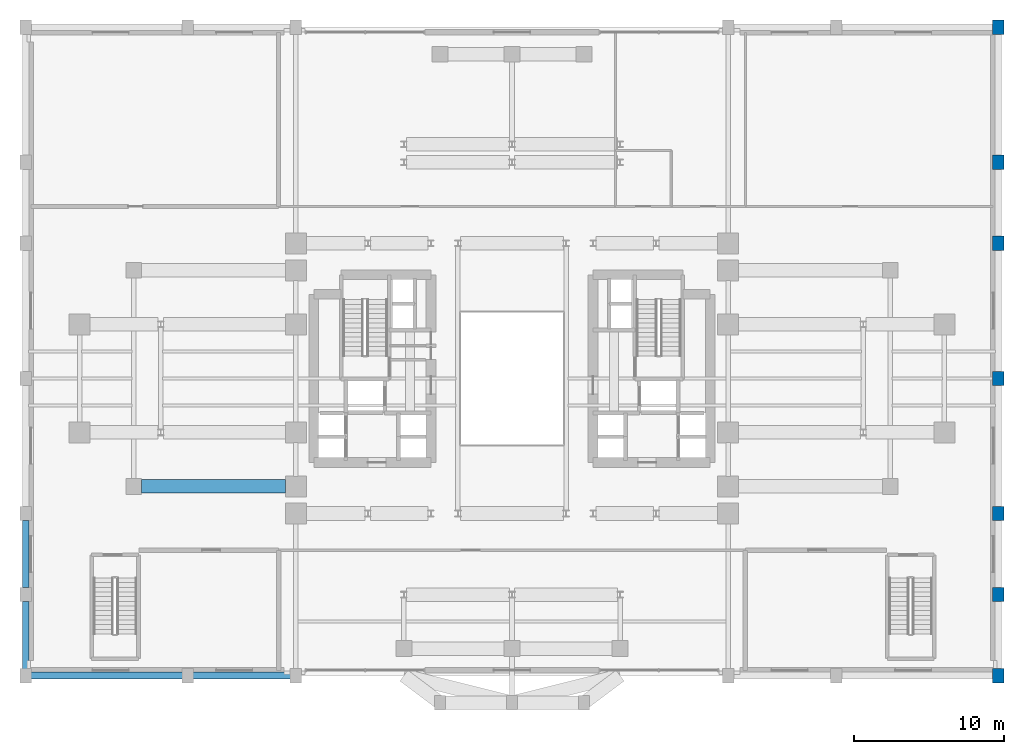
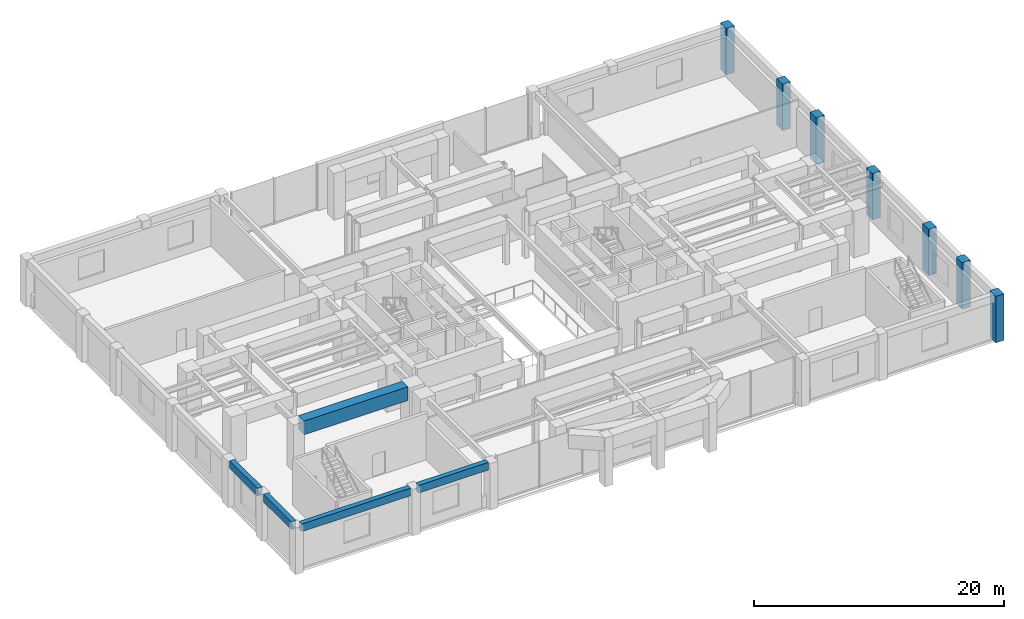
# One storey, part 3 of 14: 7 columns, 5 beams.
"""IFC4 building model written with IfcOpenShell, lengths in metres."""

from ifc_helpers import new_model, si_unit, direction, frame, origin, origin_2d, place, context, subcontext, project, spatial, rectangle, extrude, source, transform, mapped, material, material_profile, profile_set, type_object, element, save


model = new_model("IFC4")

# Units and contexts
model_context = context("Model", 3, precision=1e-05, world=origin(), true_north=direction((0.0, 1.0)))
body_context = subcontext(model_context, "Body", "Model", "MODEL_VIEW")
ifc_project = project(units=[si_unit("LENGTHUNIT", "METRE"), si_unit("AREAUNIT", "SQUARE_METRE"), si_unit("VOLUMEUNIT", "CUBIC_METRE"), si_unit("PLANEANGLEUNIT", "RADIAN"), si_unit("MASSUNIT", "GRAM", prefix="KILO")], contexts=[model_context])

# Site, building, storey
site_placement = place(None, origin())
site = spatial("IfcSite", under=ifc_project, at=site_placement, CompositionType="ELEMENT")
building_placement = place(site_placement, origin())
building = spatial("IfcBuilding", under=site, at=building_placement, Name="Keilestroom Media Tower", CompositionType="ELEMENT")
storey_placement = place(building_placement, frame((0.0, 0.0, 15.60009765625)))
storey = spatial("IfcBuildingStorey", under=building, at=storey_placement, Name="L03", CompositionType="ELEMENT", Elevation=15.60009765625)

# Columns
ifc_material_1 = material(Name="Precast concrete C40/50", Category="concrete")
ifc_material_profile_1 = material_profile(ifc_material_1, rectangle(XDim=0.75, YDim=0.949951171875, at=origin_2d()), Name="PC 950x750")
ifc_profile_set_1 = profile_set([ifc_material_profile_1], Name="Precast concrete C40/50")
column_type = type_object("IfcColumnType", Name="Structural-Column-PC-950x750", PredefinedType="COLUMN", material=ifc_profile_set_1)
shared_shape_1 = source(origin(), body_context, "Body", "SweptSolid", [
    extrude(rectangle(XDim=0.75, YDim=0.949951171875, at=origin_2d()), origin(), (0.0, 0.0, 1.0), 4.5498046875),
])
for number, where, z_axis, x_axis, name in (
    (1, (32.39990234375, -19.800048828125, 0.0), (0.0, 0.0, 1.0), (1.0, 0.0, 0.0), "L03 Column PC-1 (+32.4,-19.8)"),
    (2, (32.39990234375, -14.39990234375, 0.0), (0.0, 0.0, 1.0), (1.0, 0.0, 0.0), "L03 Column PC-1 (+32.4,-14.4)"),
    (3, (32.39990234375, -9.0, 0.0), (0.0, 0.0, 1.0), (1.0, 0.0, 0.0), "L03 Column PC-1 (+32.4,-9.0)"),
    (4, (32.39990234375, 0.0, 0.0), (0.0, 0.0, 1.0), (1.0, 0.0, 0.0), "L03 Column PC-1 (+32.4,+0.0)"),
    (5, (32.39990234375, 9.0, 0.0), (0.0, 0.0, 1.0), (1.0, 0.0, 0.0), "L03 Column PC-1 (+32.4,+9.0)"),
    (6, (32.39990234375, 14.39990234375, 0.0), (0.0, 0.0, 1.0), (1.0, 0.0, 0.0), "L03 Column PC-1 (+32.4,+14.4)"),
    (7, (32.39990234375, 23.39990234375, 0.0), (0.0, 0.0, 1.0), (1.0, 0.0, 0.0), "L03 Column PC-1 (+32.4,+23.4)"),
):
    element("IfcColumn", number, at=place(storey_placement, frame(where, z_axis=z_axis, x_axis=x_axis)), inside=storey, type_object=column_type, Name=name, PredefinedType="COLUMN", context=body_context, shape_type="MappedRepresentation", body=[
        mapped(shared_shape_1, transform((0.0, 0.0, 0.0), x_axis=(1.0, 0.0, 0.0), y_axis=(0.0, 1.0, 0.0), z_axis=(0.0, 0.0, 1.0), scale=1.0)),
    ])

# Beams
ifc_material_profile_2 = material_profile(ifc_material_1, rectangle(XDim=0.449951171875, YDim=0.75, at=origin_2d()), Name="PC 450x750")
ifc_profile_set_2 = profile_set([ifc_material_profile_2], Name="Precast concrete C40/50")
beam_type_1 = type_object("IfcBeamType", Name="Perimeter-Spandrel-Beam-PC-450x750", PredefinedType="SPANDREL", material=ifc_profile_set_2)
shared_shape_2 = source(origin(), body_context, "Body", "SweptSolid", [
    extrude(rectangle(XDim=0.449951171875, YDim=0.75, at=origin_2d()), origin(), (0.0, 0.0, 1.0), 10.08984375),
])
beam_1_placement = place(storey_placement, frame((-32.044921875, -19.800048828125, 4.1748046875), z_axis=(1.0, 0.0, 0.0), x_axis=(0.0, 1.0, 0.0)))
element("IfcBeam", 8, at=beam_1_placement, inside=storey, type_object=beam_type_1, Name="L03 Beam SPB-1 BM-L03-EW-001", PredefinedType="SPANDREL", context=body_context, shape_type="MappedRepresentation", body=[
    mapped(shared_shape_2, transform((0.0, 0.0, 0.0), x_axis=(1.0, 0.0, 0.0), y_axis=(0.0, 1.0, 0.0), z_axis=(0.0, 0.0, 1.0), scale=1.0)),
])
shared_shape_3 = source(origin(), body_context, "Body", "SweptSolid", [
    extrude(rectangle(XDim=0.449951171875, YDim=0.75, at=origin_2d()), origin(), (0.0, 0.0, 1.0), 6.490234375),
])
beam_2_placement = place(storey_placement, frame((-21.2451171875, -19.800048828125, 4.1748046875), z_axis=(1.0, 0.0, 0.0), x_axis=(0.0, 1.0, 0.0)))
element("IfcBeam", 9, at=beam_2_placement, inside=storey, type_object=beam_type_1, Name="L03 Beam SPB-1 BM-L03-EW-002", PredefinedType="SPANDREL", context=body_context, shape_type="MappedRepresentation", body=[
    mapped(shared_shape_3, transform((0.0, 0.0, 0.0), x_axis=(1.0, 0.0, 0.0), y_axis=(0.0, 1.0, 0.0), z_axis=(0.0, 0.0, 1.0), scale=1.0)),
])
ifc_material_2 = material(Name="Concrete C55/67", Category="concrete")
ifc_material_profile_3 = material_profile(ifc_material_2, rectangle(XDim=0.89990234375, YDim=1.35009765625, at=origin_2d()), Name="RC 900x1350")
ifc_profile_set_3 = profile_set([ifc_material_profile_3], Name="Concrete C55/67")
beam_type_2 = type_object("IfcBeamType", Name="Primary-Structural-Girder-RC-900x1350", PredefinedType="BEAM", material=ifc_profile_set_3)
shared_shape_4 = source(origin(), body_context, "Body", "SweptSolid", [
    extrude(rectangle(XDim=0.89990234375, YDim=1.35009765625, at=origin_2d()), origin(), (0.0, 0.0, 1.0), 9.614990234375),
])
beam_3_placement = place(storey_placement, frame((-24.695068359375, -7.199951171875, 3.875), z_axis=(1.0, 0.0, 0.0), x_axis=(0.0, 1.0, 0.0)))
element("IfcBeam", 10, at=beam_3_placement, inside=storey, type_object=beam_type_2, Name="L03 Beam TG-2 BM-L03-EW-016", PredefinedType="BEAM", context=body_context, shape_type="MappedRepresentation", body=[
    mapped(shared_shape_4, transform((0.0, 0.0, 0.0), x_axis=(1.0, 0.0, 0.0), y_axis=(0.0, 1.0, 0.0), z_axis=(0.0, 0.0, 1.0), scale=1.0)),
])
shared_shape_5 = source(origin(), body_context, "Body", "SweptSolid", [
    extrude(rectangle(XDim=0.449951171875, YDim=0.75, at=origin_2d()), origin(), (0.0, 0.0, 1.0), 4.489990234375),
])
for number, where, z_axis, x_axis, name in (
    (11, (-32.39990234375, -19.344970703125, 4.1748046875), (0.0, 1.0, 0.0), (-1.0, 0.0, 0.0), "L03 Beam SPB-1 BM-L03-NS-045"),
    (12, (-32.39990234375, -13.945068359375, 4.1748046875), (0.0, 1.0, 0.0), (-1.0, 0.0, 0.0), "L03 Beam SPB-1 BM-L03-NS-046"),
):
    element("IfcBeam", number, at=place(storey_placement, frame(where, z_axis=z_axis, x_axis=x_axis)), inside=storey, type_object=beam_type_1, Name=name, PredefinedType="SPANDREL", context=body_context, shape_type="MappedRepresentation", body=[
        mapped(shared_shape_5, transform((0.0, 0.0, 0.0), x_axis=(1.0, 0.0, 0.0), y_axis=(0.0, 1.0, 0.0), z_axis=(0.0, 0.0, 1.0), scale=1.0)),
    ])

save(model, "model.ifc")
